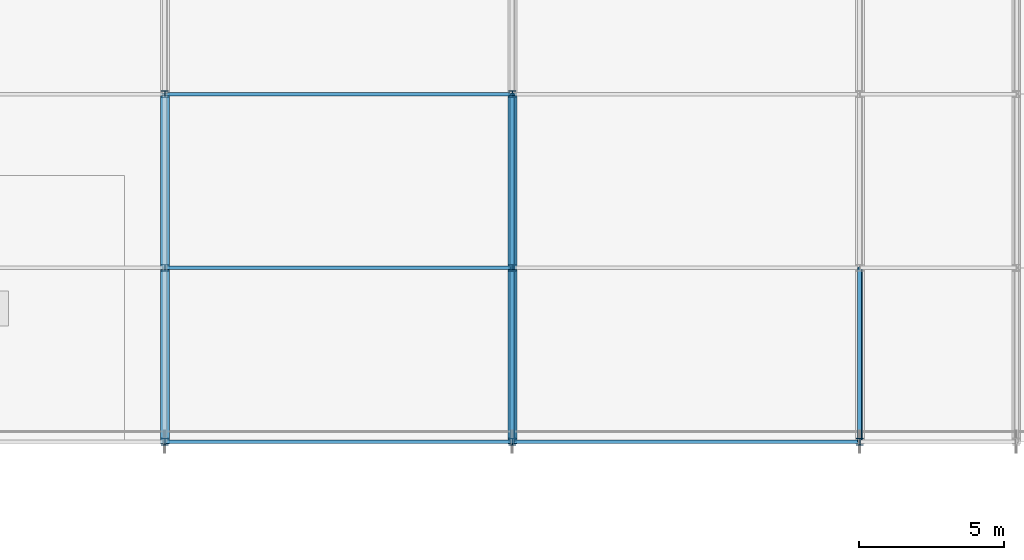
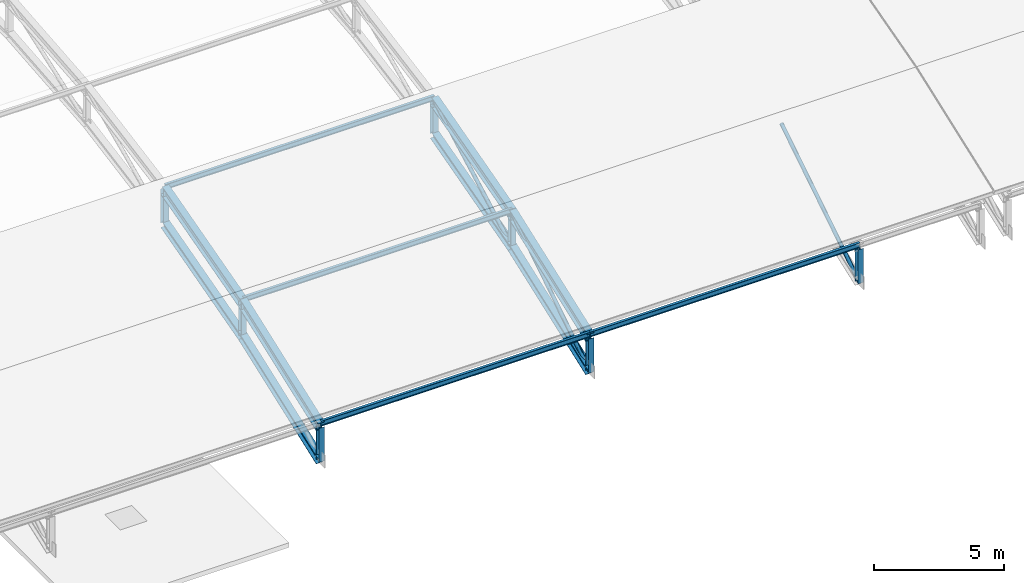
# One storey, part 28 of 204: 22 members.
"""IFC4 building model written with IfcOpenShell, lengths in metres."""

from ifc_helpers import new_model, si_unit, direction, frame, origin, origin_2d, place, context, subcontext, project, spatial, hollow_circle, i_section, extrude, material, material_profile, profile_set, type_object, element, save


model = new_model("IFC4")

# Units and contexts
model_context = context("Model", 3, precision=1e-05, world=origin(), true_north=direction((0.0, 1.0)))
body_context = subcontext(model_context, "Body", "Model", "MODEL_VIEW")
ifc_project = project(units=[si_unit("LENGTHUNIT", "METRE"), si_unit("AREAUNIT", "SQUARE_METRE"), si_unit("VOLUMEUNIT", "CUBIC_METRE"), si_unit("PLANEANGLEUNIT", "RADIAN"), si_unit("MASSUNIT", "GRAM", prefix="KILO")], contexts=[model_context])

# Site, building, storey
site_placement = place(None, origin())
site = spatial("IfcSite", under=ifc_project, at=site_placement, CompositionType="ELEMENT")
building_placement = place(site_placement, origin())
building = spatial("IfcBuilding", under=site, at=building_placement, Name="Zilviju Railside Exhibition Hall", CompositionType="ELEMENT")
storey_placement = place(building_placement, frame((0.0, 0.0, 21.0)))
storey = spatial("IfcBuildingStorey", under=building, at=storey_placement, Name="RF", CompositionType="ELEMENT", Elevation=21.0)

# Members
ifc_material = material(Name="Steel S355J2", Category="steel")
ifc_material_profile_1 = material_profile(ifc_material, hollow_circle(Radius=0.084228515625, WallThickness=0.008056640625, at=origin_2d()), Name="CHS 168.3x8.0")
ifc_profile_set_1 = profile_set([ifc_material_profile_1], Name="Steel S355J2")
member_type_1 = type_object("IfcMemberType", Name="TR-BR-CHS168", PredefinedType="BRACE", material=ifc_profile_set_1)
member_1_placement = place(storey_placement, frame((108.0, 0.0, -7.800048828125), z_axis=(0.0, 0.844023315733, 0.536306481872), x_axis=(-1.0, 0.0, 0.0)))
element("IfcMember", 1, at=member_1_placement, inside=storey, type_object=member_type_1, Name="V1 Parabolic Arch Web Diagonal X=108.0 P1", PredefinedType="BRACE", context=body_context, shape_type="SweptSolid", body=[
    extrude(hollow_circle(Radius=0.084228515625, WallThickness=0.008056640625, at=origin_2d()), origin(), (0.0, 0.0, 1.0), 7.10888671875),
])
member_2_placement = place(storey_placement, frame((108.0, 6.0, -5.587646484375), z_axis=(0.0, 0.87872232578, 0.477333294644), x_axis=(-1.0, 0.0, 0.0)))
element("IfcMember", 2, at=member_2_placement, inside=storey, type_object=member_type_1, Name="V1 Parabolic Arch Web Diagonal X=108.0 P2", PredefinedType="BRACE", context=body_context, shape_type="SweptSolid", body=[
    extrude(hollow_circle(Radius=0.084228515625, WallThickness=0.008056640625, at=origin_2d()), origin(), (0.0, 0.0, 1.0), 6.828125),
])
member_3_placement = place(storey_placement, frame((120.0, 0.0, -7.800048828125), z_axis=(0.0, 0.844023315733, 0.536306481872), x_axis=(-1.0, 0.0, 0.0)))
element("IfcMember", 3, at=member_3_placement, inside=storey, type_object=member_type_1, Name="V1 Parabolic Arch Web Diagonal X=120.0 P1", PredefinedType="BRACE", context=body_context, shape_type="SweptSolid", body=[
    extrude(hollow_circle(Radius=0.084228515625, WallThickness=0.008056640625, at=origin_2d()), origin(), (0.0, 0.0, 1.0), 7.10888671875),
])
ifc_material_profile_2 = material_profile(ifc_material, i_section(OverallWidth=0.300048828125, OverallDepth=0.360107421875, WebThickness=0.012451171875, FlangeThickness=0.0224609375, at=origin_2d()), Name="HEB 360")
ifc_profile_set_2 = profile_set([ifc_material_profile_2], Name="Steel S355J2")
member_type_2 = type_object("IfcMemberType", Name="TR-CH-HEB360", PredefinedType="CHORD", material=ifc_profile_set_2)
member_4_placement = place(storey_placement, frame((96.0, 0.0, -7.800048828125), z_axis=(0.0, 0.938247917098, 0.345963648468), x_axis=(-1.0, 0.0, 0.0)))
element("IfcMember", 4, at=member_4_placement, inside=storey, type_object=member_type_2, Name="V1 Parabolic Arch Bottom Chord X=96.0 P1", PredefinedType="CHORD", context=body_context, shape_type="SweptSolid", body=[
    extrude(i_section(OverallWidth=0.300048828125, OverallDepth=0.360107421875, WebThickness=0.012451171875, FlangeThickness=0.0224609375, at=origin_2d()), origin(), (0.0, 0.0, 1.0), 6.39501953125),
])
member_5_placement = place(storey_placement, frame((96.0, 6.0, -5.587646484375), z_axis=(0.0, 0.963827412659, 0.266527144223), x_axis=(-1.0, 0.0, 0.0)))
element("IfcMember", 5, at=member_5_placement, inside=storey, type_object=member_type_2, Name="V1 Parabolic Arch Bottom Chord X=96.0 P2", PredefinedType="CHORD", context=body_context, shape_type="SweptSolid", body=[
    extrude(i_section(OverallWidth=0.300048828125, OverallDepth=0.360107421875, WebThickness=0.012451171875, FlangeThickness=0.0224609375, at=origin_2d()), origin(), (0.0, 0.0, 1.0), 6.22509765625),
])
member_6_placement = place(storey_placement, frame((108.0, 0.0, -7.800048828125), z_axis=(0.0, 0.938247917098, 0.345963648468), x_axis=(-1.0, 0.0, 0.0)))
element("IfcMember", 6, at=member_6_placement, inside=storey, type_object=member_type_2, Name="V1 Parabolic Arch Bottom Chord X=108.0 P1", PredefinedType="CHORD", context=body_context, shape_type="SweptSolid", body=[
    extrude(i_section(OverallWidth=0.300048828125, OverallDepth=0.360107421875, WebThickness=0.012451171875, FlangeThickness=0.0224609375, at=origin_2d()), origin(), (0.0, 0.0, 1.0), 6.39501953125),
])
member_7_placement = place(storey_placement, frame((108.0, 6.0, -5.587646484375), z_axis=(0.0, 0.963827412659, 0.266527144223), x_axis=(-1.0, 0.0, 0.0)))
element("IfcMember", 7, at=member_7_placement, inside=storey, type_object=member_type_2, Name="V1 Parabolic Arch Bottom Chord X=108.0 P2", PredefinedType="CHORD", context=body_context, shape_type="SweptSolid", body=[
    extrude(i_section(OverallWidth=0.300048828125, OverallDepth=0.360107421875, WebThickness=0.012451171875, FlangeThickness=0.0224609375, at=origin_2d()), origin(), (0.0, 0.0, 1.0), 6.22509765625),
])
ifc_material_profile_3 = material_profile(ifc_material, i_section(OverallWidth=0.300048828125, OverallDepth=0.449951171875, WebThickness=0.013916015625, FlangeThickness=0.02587890625, at=origin_2d()), Name="HEB 450")
ifc_profile_set_3 = profile_set([ifc_material_profile_3], Name="Steel S355J2")
member_type_3 = type_object("IfcMemberType", Name="TR-CH-HEB450", PredefinedType="CHORD", material=ifc_profile_set_3)
member_8_placement = place(storey_placement, frame((96.0, 0.0, -6.199951171875), z_axis=(0.0, 0.938247917098, 0.345963648468), x_axis=(-1.0, 0.0, 0.0)))
element("IfcMember", 8, at=member_8_placement, inside=storey, type_object=member_type_3, Name="V1 Parabolic Arch Top Chord X=96.0 P1", PredefinedType="CHORD", context=body_context, shape_type="SweptSolid", body=[
    extrude(i_section(OverallWidth=0.300048828125, OverallDepth=0.449951171875, WebThickness=0.013916015625, FlangeThickness=0.02587890625, at=origin_2d()), origin(), (0.0, 0.0, 1.0), 6.39501953125),
])
member_9_placement = place(storey_placement, frame((96.0, 6.0, -3.987548828125), z_axis=(0.0, 0.963827412659, 0.266527144223), x_axis=(-1.0, 0.0, 0.0)))
element("IfcMember", 9, at=member_9_placement, inside=storey, type_object=member_type_3, Name="V1 Parabolic Arch Top Chord X=96.0 P2", PredefinedType="CHORD", context=body_context, shape_type="SweptSolid", body=[
    extrude(i_section(OverallWidth=0.300048828125, OverallDepth=0.449951171875, WebThickness=0.013916015625, FlangeThickness=0.02587890625, at=origin_2d()), origin(), (0.0, 0.0, 1.0), 6.22509765625),
])
member_10_placement = place(storey_placement, frame((108.0, 0.0, -6.199951171875), z_axis=(0.0, 0.938247917098, 0.345963648468), x_axis=(-1.0, 0.0, 0.0)))
element("IfcMember", 10, at=member_10_placement, inside=storey, type_object=member_type_3, Name="V1 Parabolic Arch Top Chord X=108.0 P1", PredefinedType="CHORD", context=body_context, shape_type="SweptSolid", body=[
    extrude(i_section(OverallWidth=0.300048828125, OverallDepth=0.449951171875, WebThickness=0.013916015625, FlangeThickness=0.02587890625, at=origin_2d()), origin(), (0.0, 0.0, 1.0), 6.39501953125),
])
member_11_placement = place(storey_placement, frame((108.0, 6.0, -3.987548828125), z_axis=(0.0, 0.963827412659, 0.266527144223), x_axis=(-1.0, 0.0, 0.0)))
element("IfcMember", 11, at=member_11_placement, inside=storey, type_object=member_type_3, Name="V1 Parabolic Arch Top Chord X=108.0 P2", PredefinedType="CHORD", context=body_context, shape_type="SweptSolid", body=[
    extrude(i_section(OverallWidth=0.300048828125, OverallDepth=0.449951171875, WebThickness=0.013916015625, FlangeThickness=0.02587890625, at=origin_2d()), origin(), (0.0, 0.0, 1.0), 6.22509765625),
])
ifc_material_profile_4 = material_profile(ifc_material, i_section(OverallWidth=0.239990234375, OverallDepth=0.22998046875, WebThickness=0.007568359375, FlangeThickness=0.011962890625, at=origin_2d()), Name="HEA 240")
ifc_profile_set_4 = profile_set([ifc_material_profile_4], Name="Steel S355J2")
member_type_4 = type_object("IfcMemberType", Name="TR-POST-HEA240", PredefinedType="POST", material=ifc_profile_set_4)
for number, where, z_axis, x_axis, name in (
    (12, (96.0, 0.0, -7.800048828125), (0.0, 0.0, 1.0), (1.0, 0.0, 0.0), "V1 Parabolic Arch Web Post X=96.0 N0"),
    (13, (96.0, 6.0, -5.587646484375), (0.0, 0.0, 1.0), (1.0, 0.0, 0.0), "V1 Parabolic Arch Web Post X=96.0 N1"),
    (14, (96.0, 12.0, -3.928466796875), (0.0, 0.0, 1.0), (1.0, 0.0, 0.0), "V1 Parabolic Arch Web Post X=96.0 N2"),
    (15, (108.0, 0.0, -7.800048828125), (0.0, 0.0, 1.0), (1.0, 0.0, 0.0), "V1 Parabolic Arch Web Post X=108.0 N0"),
    (16, (108.0, 6.0, -5.587646484375), (0.0, 0.0, 1.0), (1.0, 0.0, 0.0), "V1 Parabolic Arch Web Post X=108.0 N1"),
    (17, (108.0, 12.0, -3.928466796875), (0.0, 0.0, 1.0), (1.0, 0.0, 0.0), "V1 Parabolic Arch Web Post X=108.0 N2"),
    (18, (120.0, 0.0, -7.800048828125), (0.0, 0.0, 1.0), (1.0, 0.0, 0.0), "V1 Parabolic Arch Web Post X=120.0 N0"),
):
    element("IfcMember", number, at=place(storey_placement, frame(where, z_axis=z_axis, x_axis=x_axis)), inside=storey, type_object=member_type_4, Name=name, PredefinedType="POST", context=body_context, shape_type="SweptSolid", body=[
        extrude(i_section(OverallWidth=0.239990234375, OverallDepth=0.22998046875, WebThickness=0.007568359375, FlangeThickness=0.011962890625, at=origin_2d()), origin(), (0.0, 0.0, 1.0), 1.60009765625),
    ])
ifc_material_profile_5 = material_profile(ifc_material, i_section(OverallWidth=0.1201171875, OverallDepth=0.239990234375, WebThickness=0.006103515625, FlangeThickness=0.009765625, at=origin_2d()), Name="IPE 240")
ifc_profile_set_5 = profile_set([ifc_material_profile_5], Name="Steel S355J2")
member_type_5 = type_object("IfcMemberType", Name="TR-PUR-IPE240", PredefinedType="PURLIN", material=ifc_profile_set_5)
for number, where, z_axis, x_axis, name in (
    (19, (96.0, 0.0, -6.05517578125), (1.0, 0.0, 0.0), (0.0, 1.0, 0.0), "V1 Barrel Vault Roof Purlin Y=0.0 (96.0..108.0)"),
    (20, (96.0, 6.0, -3.864990234375), (1.0, 0.0, 0.0), (0.0, 1.0, 0.0), "V1 Barrel Vault Roof Purlin Y=6.0 (96.0..108.0)"),
    (21, (96.0, 12.0, -2.193603515625), (1.0, 0.0, 0.0), (0.0, 1.0, 0.0), "V1 Barrel Vault Roof Purlin Y=12.0 (96.0..108.0)"),
    (22, (108.0, 0.0, -6.05517578125), (1.0, 0.0, 0.0), (0.0, 1.0, 0.0), "V1 Barrel Vault Roof Purlin Y=0.0 (108.0..120.0)"),
):
    element("IfcMember", number, at=place(storey_placement, frame(where, z_axis=z_axis, x_axis=x_axis)), inside=storey, type_object=member_type_5, Name=name, PredefinedType="PURLIN", context=body_context, shape_type="SweptSolid", body=[
        extrude(i_section(OverallWidth=0.1201171875, OverallDepth=0.239990234375, WebThickness=0.006103515625, FlangeThickness=0.009765625, at=origin_2d()), origin(), (0.0, 0.0, 1.0), 12.0),
    ])

save(model, "model.ifc")
